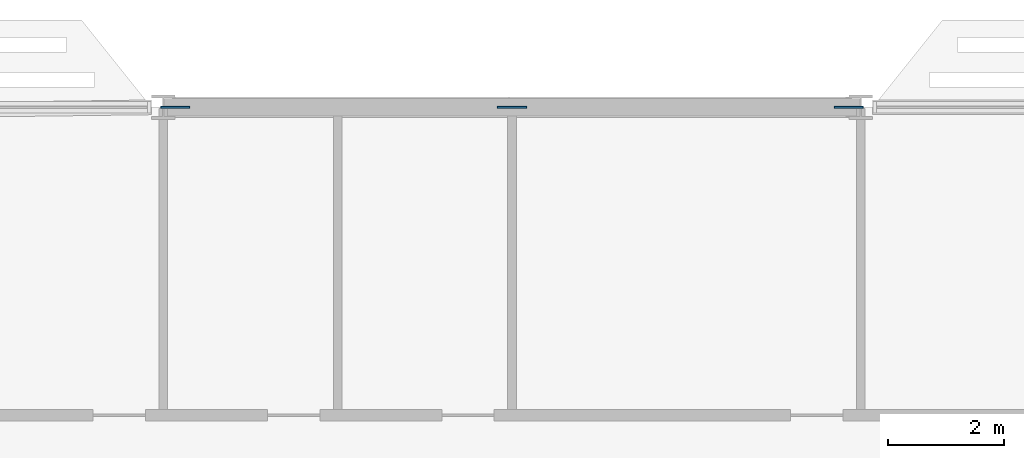
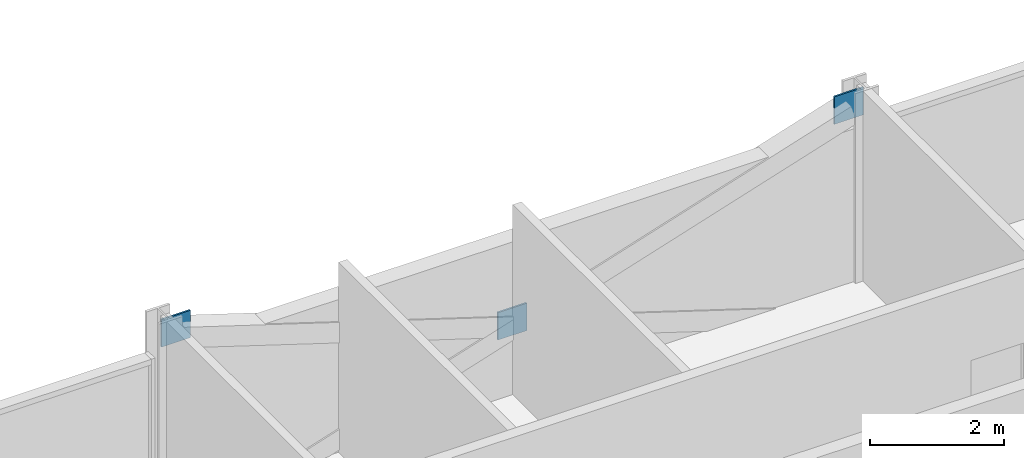
# One storey, part 19 of 27: 3 discrete accessories.
"""IFC4 building model written with IfcOpenShell, lengths in metres."""

from ifc_helpers import new_model, si_unit, direction, frame, origin, origin_2d, place, context, subcontext, project, spatial, rectangle, extrude, material, layer, layer_set, type_object, element, save


model = new_model("IFC4")

# Units and contexts
model_context = context("Model", 3, precision=1e-05, world=origin(), true_north=direction((0.0, 1.0)))
body_context = subcontext(model_context, "Body", "Model", "MODEL_VIEW")
ifc_project = project(units=[si_unit("LENGTHUNIT", "METRE"), si_unit("AREAUNIT", "SQUARE_METRE"), si_unit("VOLUMEUNIT", "CUBIC_METRE"), si_unit("PLANEANGLEUNIT", "RADIAN"), si_unit("MASSUNIT", "GRAM", prefix="KILO")], contexts=[model_context])

# Site, building, storey
site_placement = place(None, origin())
site = spatial("IfcSite", under=ifc_project, at=site_placement, CompositionType="ELEMENT")
building_placement = place(site_placement, origin())
building = spatial("IfcBuilding", under=site, at=building_placement, Name="Mahtab Terrace Research Tower", CompositionType="ELEMENT")
storey_placement = place(building_placement, frame((0.0, 0.0, 170.60009765625)))
storey = spatial("IfcBuildingStorey", under=building, at=storey_placement, Name="L40", CompositionType="ELEMENT", Elevation=170.60009765625)

# Discrete accessories
ifc_material = material(Name="Steel ASTM A992 Gr 50", Category="steel")
ifc_layer = layer(ifc_material, 0.030029296875)
ifc_layer_set = layer_set([ifc_layer], Name="Gusset plate 500x500x30")
discrete_accessory_type = type_object("IfcDiscreteAccessoryType", Name="Gusset plate 500x500x30", PredefinedType="USERDEFINED", material=ifc_layer_set)
for number, where, z_axis, x_axis, name in (
    (1, (-29.796875, 23.0, 2.870849609375), (0.0, 0.0, 1.0), (1.0, 0.0, 0.0), "Gusset plate"),
    (2, (-24.0, 23.0, 0.970703125), (0.0, 0.0, 1.0), (1.0, 0.0, 0.0), "Gusset plate"),
    (3, (-18.203125, 23.0, 2.870849609375), (0.0, 0.0, 1.0), (1.0, 0.0, 0.0), "Gusset plate"),
):
    element("IfcDiscreteAccessory", number, at=place(storey_placement, frame(where, z_axis=z_axis, x_axis=x_axis)), inside=storey, type_object=discrete_accessory_type, Name=name, ObjectType="GUSSET PLATE", PredefinedType="USERDEFINED", context=body_context, shape_type="SweptSolid", body=[
        extrude(rectangle(XDim=0.5, YDim=0.030029296875, at=origin_2d()), origin(), (0.0, 0.0, 1.0), 0.5),
    ])

save(model, "model.ifc")
